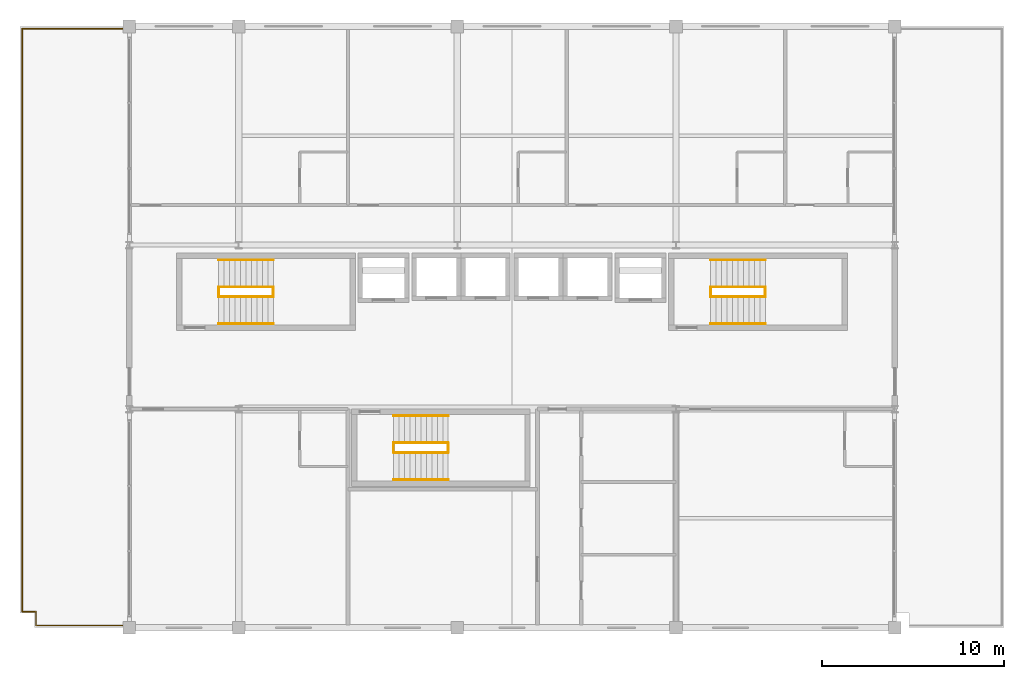
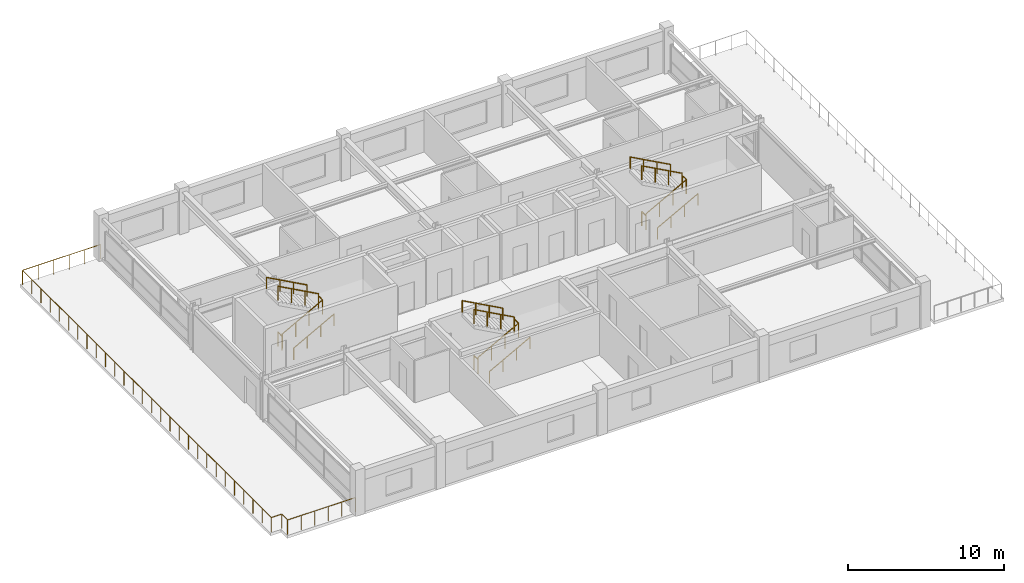
# One storey, part 23 of 24: 19 railings.
"""IFC4 building model written with IfcOpenShell, lengths in metres."""

from ifc_helpers import new_model, si_unit, direction, frame, origin, origin_2d, place, context, subcontext, project, spatial, circle, extrude, material, type_object, element, save


model = new_model("IFC4")

# Units and contexts
model_context = context("Model", 3, precision=1e-05, world=origin(), true_north=direction((0.0, 1.0)))
body_context = subcontext(model_context, "Body", "Model", "MODEL_VIEW")
ifc_project = project(units=[si_unit("LENGTHUNIT", "METRE"), si_unit("AREAUNIT", "SQUARE_METRE"), si_unit("VOLUMEUNIT", "CUBIC_METRE"), si_unit("PLANEANGLEUNIT", "RADIAN"), si_unit("MASSUNIT", "GRAM", prefix="KILO")], contexts=[model_context])

# Site, building, storey
site_placement = place(None, origin())
site = spatial("IfcSite", under=ifc_project, at=site_placement, CompositionType="ELEMENT")
building_placement = place(site_placement, origin())
building = spatial("IfcBuilding", under=site, at=building_placement, Name="Kaldorvane Square Convention Centre", CompositionType="ELEMENT")
storey_placement = place(building_placement, frame((0.0, 0.0, 60.0)))
storey = spatial("IfcBuildingStorey", under=building, at=storey_placement, Name="L14", CompositionType="ELEMENT", Elevation=60.0)

# Railings
ifc_material = material(Name="Architectural Painted Steel", Category="steel")
railing_type_1 = type_object("IfcRailingType", Name="RL-GUARD-1120", PredefinedType="BALUSTRADE", material=ifc_material)
for number, where, name in (
    (1, (40.899993896484375, 102.16999816894531, 0.0), "Tower Exit Stair T1 Floor Well Guard (L14)"),
    (2, (43.899993896484375, 102.16999816894531, 1.8000030517578125), "Tower Exit Stair T1 Half-Landing Guard (L14)"),
):
    element("IfcRailing", number, at=place(storey_placement, frame(where)), inside=storey, type_object=railing_type_1, Name=name, PredefinedType="BALUSTRADE", context=body_context, shape_type="SweptSolid", body=[
        extrude(circle(Radius=0.0240020751953125, at=origin_2d()), frame((0.0, 0.0, 1.0959930419921875), z_axis=(0.0, 1.0, 0.0), x_axis=(-1.0, 0.0, 0.0)), (0.0, 0.0, 1.0), 0.5200042724609375),
        extrude(circle(Radius=0.02099609375, at=origin_2d()), origin(), (0.0, 0.0, 1.0), 1.071990966796875),
        extrude(circle(Radius=0.02099609375, at=origin_2d()), frame((0.0, 0.5200042724609375, 0.0)), (0.0, 0.0, 1.0), 1.071990966796875),
    ])
railing_1_placement = place(storey_placement, frame((40.899993896484375, 102.16000366210938, 0.16363525390625)))
element("IfcRailing", 3, at=railing_1_placement, inside=storey, type_object=railing_type_1, Name="Tower Exit Stair T1 Flight 1 Guard (L14)", PredefinedType="BALUSTRADE", context=body_context, shape_type="SweptSolid", body=[
    extrude(circle(Radius=0.0240020751953125, at=origin_2d()), frame((0.0, 0.0, 1.0959930419921875), z_axis=(0.87789506098, 0.0, 0.478853069227), x_axis=(0.0, 1.0, 0.0)), (0.0, 0.0, 1.0), 3.417266845703125),
    extrude(circle(Radius=0.02099609375, at=origin_2d()), origin(), (0.0, 0.0, 1.0), 1.071990966796875),
    extrude(circle(Radius=0.02099609375, at=origin_2d()), frame((1.0, 0.0, 0.5454559326171875)), (0.0, 0.0, 1.0), 1.071990966796875),
    extrude(circle(Radius=0.02099609375, at=origin_2d()), frame((2.0, 0.0, 1.090911865234375)), (0.0, 0.0, 1.0), 1.071990966796875),
    extrude(circle(Radius=0.02099609375, at=origin_2d()), frame((3.0, 0.0, 1.6363677978515625)), (0.0, 0.0, 1.0), 1.071990966796875),
])
railing_2_placement = place(storey_placement, frame((43.899993896484375, 102.69999694824219, 1.9636383056640625)))
element("IfcRailing", 4, at=railing_2_placement, inside=storey, type_object=railing_type_1, Name="Tower Exit Stair T1 Flight 2 Guard (L14)", PredefinedType="BALUSTRADE", context=body_context, shape_type="SweptSolid", body=[
    extrude(circle(Radius=0.0240020751953125, at=origin_2d()), frame((0.0, 0.0, 1.0959930419921875), z_axis=(-0.87789506098, 0.0, 0.478853069227), x_axis=(0.0, -1.0, 0.0)), (0.0, 0.0, 1.0), 3.417266845703125),
    extrude(circle(Radius=0.02099609375, at=origin_2d()), origin(), (0.0, 0.0, 1.0), 1.071990966796875),
    extrude(circle(Radius=0.02099609375, at=origin_2d()), frame((-1.0, 0.0, 0.5454559326171875)), (0.0, 0.0, 1.0), 1.071990966796875),
    extrude(circle(Radius=0.02099609375, at=origin_2d()), frame((-2.0, 0.0, 1.090911865234375)), (0.0, 0.0, 1.0), 1.071990966796875),
    extrude(circle(Radius=0.02099609375, at=origin_2d()), frame((-3.0, 0.0, 1.6363677978515625)), (0.0, 0.0, 1.0), 1.071990966796875),
])
for number, where, name in (
    (5, (67.89999389648438, 102.16999816894531, 0.0), "Tower Exit Stair T2 Floor Well Guard (L14)"),
    (6, (70.89999389648438, 102.16999816894531, 1.8000030517578125), "Tower Exit Stair T2 Half-Landing Guard (L14)"),
):
    element("IfcRailing", number, at=place(storey_placement, frame(where)), inside=storey, type_object=railing_type_1, Name=name, PredefinedType="BALUSTRADE", context=body_context, shape_type="SweptSolid", body=[
        extrude(circle(Radius=0.0240020751953125, at=origin_2d()), frame((0.0, 0.0, 1.0959930419921875), z_axis=(0.0, 1.0, 0.0), x_axis=(-1.0, 0.0, 0.0)), (0.0, 0.0, 1.0), 0.5200042724609375),
        extrude(circle(Radius=0.02099609375, at=origin_2d()), origin(), (0.0, 0.0, 1.0), 1.071990966796875),
        extrude(circle(Radius=0.02099609375, at=origin_2d()), frame((0.0, 0.5200042724609375, 0.0)), (0.0, 0.0, 1.0), 1.071990966796875),
    ])
railing_3_placement = place(storey_placement, frame((67.89999389648438, 102.16000366210938, 0.16363525390625)))
element("IfcRailing", 7, at=railing_3_placement, inside=storey, type_object=railing_type_1, Name="Tower Exit Stair T2 Flight 1 Guard (L14)", PredefinedType="BALUSTRADE", context=body_context, shape_type="SweptSolid", body=[
    extrude(circle(Radius=0.0240020751953125, at=origin_2d()), frame((0.0, 0.0, 1.0959930419921875), z_axis=(0.87789506098, 0.0, 0.478853069227), x_axis=(0.0, 1.0, 0.0)), (0.0, 0.0, 1.0), 3.417266845703125),
    extrude(circle(Radius=0.02099609375, at=origin_2d()), origin(), (0.0, 0.0, 1.0), 1.071990966796875),
    extrude(circle(Radius=0.02099609375, at=origin_2d()), frame((1.0, 0.0, 0.5454559326171875)), (0.0, 0.0, 1.0), 1.071990966796875),
    extrude(circle(Radius=0.02099609375, at=origin_2d()), frame((2.0, 0.0, 1.090911865234375)), (0.0, 0.0, 1.0), 1.071990966796875),
    extrude(circle(Radius=0.02099609375, at=origin_2d()), frame((3.0, 0.0, 1.6363677978515625)), (0.0, 0.0, 1.0), 1.071990966796875),
])
railing_4_placement = place(storey_placement, frame((70.89999389648438, 102.69999694824219, 1.9636383056640625)))
element("IfcRailing", 8, at=railing_4_placement, inside=storey, type_object=railing_type_1, Name="Tower Exit Stair T2 Flight 2 Guard (L14)", PredefinedType="BALUSTRADE", context=body_context, shape_type="SweptSolid", body=[
    extrude(circle(Radius=0.0240020751953125, at=origin_2d()), frame((0.0, 0.0, 1.0959930419921875), z_axis=(-0.87789506098, 0.0, 0.478853069227), x_axis=(0.0, -1.0, 0.0)), (0.0, 0.0, 1.0), 3.417266845703125),
    extrude(circle(Radius=0.02099609375, at=origin_2d()), origin(), (0.0, 0.0, 1.0), 1.071990966796875),
    extrude(circle(Radius=0.02099609375, at=origin_2d()), frame((-1.0, 0.0, 0.5454559326171875)), (0.0, 0.0, 1.0), 1.071990966796875),
    extrude(circle(Radius=0.02099609375, at=origin_2d()), frame((-2.0, 0.0, 1.090911865234375)), (0.0, 0.0, 1.0), 1.071990966796875),
    extrude(circle(Radius=0.02099609375, at=origin_2d()), frame((-3.0, 0.0, 1.6363677978515625)), (0.0, 0.0, 1.0), 1.071990966796875),
])
for number, where, name in (
    (9, (50.5, 93.6199951171875, 0.0), "Tower Exit Stair T3 Floor Well Guard (L14)"),
    (10, (53.5, 93.6199951171875, 1.8000030517578125), "Tower Exit Stair T3 Half-Landing Guard (L14)"),
):
    element("IfcRailing", number, at=place(storey_placement, frame(where)), inside=storey, type_object=railing_type_1, Name=name, PredefinedType="BALUSTRADE", context=body_context, shape_type="SweptSolid", body=[
        extrude(circle(Radius=0.0240020751953125, at=origin_2d()), frame((0.0, 0.0, 1.0959930419921875), z_axis=(0.0, 1.0, 0.0), x_axis=(-1.0, 0.0, 0.0)), (0.0, 0.0, 1.0), 0.5200042724609375),
        extrude(circle(Radius=0.02099609375, at=origin_2d()), origin(), (0.0, 0.0, 1.0), 1.071990966796875),
        extrude(circle(Radius=0.02099609375, at=origin_2d()), frame((0.0, 0.5200042724609375, 0.0)), (0.0, 0.0, 1.0), 1.071990966796875),
    ])
railing_5_placement = place(storey_placement, frame((50.5, 93.61000061035156, 0.16363525390625)))
element("IfcRailing", 11, at=railing_5_placement, inside=storey, type_object=railing_type_1, Name="Tower Exit Stair T3 Flight 1 Guard (L14)", PredefinedType="BALUSTRADE", context=body_context, shape_type="SweptSolid", body=[
    extrude(circle(Radius=0.0240020751953125, at=origin_2d()), frame((0.0, 0.0, 1.0959930419921875), z_axis=(0.87789506098, 0.0, 0.478853069227), x_axis=(0.0, 1.0, 0.0)), (0.0, 0.0, 1.0), 3.417266845703125),
    extrude(circle(Radius=0.02099609375, at=origin_2d()), origin(), (0.0, 0.0, 1.0), 1.071990966796875),
    extrude(circle(Radius=0.02099609375, at=origin_2d()), frame((1.0, 0.0, 0.5454559326171875)), (0.0, 0.0, 1.0), 1.071990966796875),
    extrude(circle(Radius=0.02099609375, at=origin_2d()), frame((2.0, 0.0, 1.090911865234375)), (0.0, 0.0, 1.0), 1.071990966796875),
    extrude(circle(Radius=0.02099609375, at=origin_2d()), frame((3.0, 0.0, 1.6363677978515625)), (0.0, 0.0, 1.0), 1.071990966796875),
])
railing_6_placement = place(storey_placement, frame((53.5, 94.14999389648438, 1.9636383056640625)))
element("IfcRailing", 12, at=railing_6_placement, inside=storey, type_object=railing_type_1, Name="Tower Exit Stair T3 Flight 2 Guard (L14)", PredefinedType="BALUSTRADE", context=body_context, shape_type="SweptSolid", body=[
    extrude(circle(Radius=0.0240020751953125, at=origin_2d()), frame((0.0, 0.0, 1.0959930419921875), z_axis=(-0.87789506098, 0.0, 0.478853069227), x_axis=(0.0, -1.0, 0.0)), (0.0, 0.0, 1.0), 3.417266845703125),
    extrude(circle(Radius=0.02099609375, at=origin_2d()), origin(), (0.0, 0.0, 1.0), 1.071990966796875),
    extrude(circle(Radius=0.02099609375, at=origin_2d()), frame((-1.0, 0.0, 0.5454559326171875)), (0.0, 0.0, 1.0), 1.071990966796875),
    extrude(circle(Radius=0.02099609375, at=origin_2d()), frame((-2.0, 0.0, 1.090911865234375)), (0.0, 0.0, 1.0), 1.071990966796875),
    extrude(circle(Radius=0.02099609375, at=origin_2d()), frame((-3.0, 0.0, 1.6363677978515625)), (0.0, 0.0, 1.0), 1.071990966796875),
])
railing_type_2 = type_object("IfcRailingType", Name="RL-HAND-915", PredefinedType="HANDRAIL", material=ifc_material)
railing_7_placement = place(storey_placement, frame((40.899993896484375, 100.67999267578125, 0.16363525390625)))
element("IfcRailing", 13, at=railing_7_placement, inside=storey, type_object=railing_type_2, Name="Tower Exit Stair T1 Wall Handrail 1 (L14)", PredefinedType="HANDRAIL", context=body_context, shape_type="SweptSolid", body=[
    extrude(circle(Radius=0.0240020751953125, at=origin_2d()), frame((0.0, 0.0, 0.8909912109375), z_axis=(0.87789506098, 0.0, 0.478853069227), x_axis=(0.0, 1.0, 0.0)), (0.0, 0.0, 1.0), 3.417266845703125),
    extrude(circle(Radius=0.02099609375, at=origin_2d()), origin(), (0.0, 0.0, 1.0), 0.8669891357421875),
    extrude(circle(Radius=0.02099609375, at=origin_2d()), frame((1.0, 0.0, 0.5454559326171875)), (0.0, 0.0, 1.0), 0.8669891357421875),
    extrude(circle(Radius=0.02099609375, at=origin_2d()), frame((2.0, 0.0, 1.090911865234375)), (0.0, 0.0, 1.0), 0.8669891357421875),
    extrude(circle(Radius=0.02099609375, at=origin_2d()), frame((3.0, 0.0, 1.6363677978515625)), (0.0, 0.0, 1.0), 0.8669891357421875),
])
railing_8_placement = place(storey_placement, frame((43.899993896484375, 104.17999267578125, 1.9636383056640625)))
element("IfcRailing", 14, at=railing_8_placement, inside=storey, type_object=railing_type_2, Name="Tower Exit Stair T1 Wall Handrail 2 (L14)", PredefinedType="HANDRAIL", context=body_context, shape_type="SweptSolid", body=[
    extrude(circle(Radius=0.0240020751953125, at=origin_2d()), frame((0.0, 0.0, 0.8909912109375), z_axis=(-0.87789506098, 0.0, 0.478853069227), x_axis=(0.0, -1.0, 0.0)), (0.0, 0.0, 1.0), 3.417266845703125),
    extrude(circle(Radius=0.02099609375, at=origin_2d()), origin(), (0.0, 0.0, 1.0), 0.8669891357421875),
    extrude(circle(Radius=0.02099609375, at=origin_2d()), frame((-1.0, 0.0, 0.5454559326171875)), (0.0, 0.0, 1.0), 0.8669891357421875),
    extrude(circle(Radius=0.02099609375, at=origin_2d()), frame((-2.0, 0.0, 1.090911865234375)), (0.0, 0.0, 1.0), 0.8669891357421875),
    extrude(circle(Radius=0.02099609375, at=origin_2d()), frame((-3.0, 0.0, 1.6363677978515625)), (0.0, 0.0, 1.0), 0.8669891357421875),
])
railing_9_placement = place(storey_placement, frame((67.89999389648438, 100.67999267578125, 0.16363525390625)))
element("IfcRailing", 15, at=railing_9_placement, inside=storey, type_object=railing_type_2, Name="Tower Exit Stair T2 Wall Handrail 1 (L14)", PredefinedType="HANDRAIL", context=body_context, shape_type="SweptSolid", body=[
    extrude(circle(Radius=0.0240020751953125, at=origin_2d()), frame((0.0, 0.0, 0.8909912109375), z_axis=(0.87789506098, 0.0, 0.478853069227), x_axis=(0.0, 1.0, 0.0)), (0.0, 0.0, 1.0), 3.417266845703125),
    extrude(circle(Radius=0.02099609375, at=origin_2d()), origin(), (0.0, 0.0, 1.0), 0.8669891357421875),
    extrude(circle(Radius=0.02099609375, at=origin_2d()), frame((1.0, 0.0, 0.5454559326171875)), (0.0, 0.0, 1.0), 0.8669891357421875),
    extrude(circle(Radius=0.02099609375, at=origin_2d()), frame((2.0, 0.0, 1.090911865234375)), (0.0, 0.0, 1.0), 0.8669891357421875),
    extrude(circle(Radius=0.02099609375, at=origin_2d()), frame((3.0, 0.0, 1.6363677978515625)), (0.0, 0.0, 1.0), 0.8669891357421875),
])
railing_10_placement = place(storey_placement, frame((70.89999389648438, 104.17999267578125, 1.9636383056640625)))
element("IfcRailing", 16, at=railing_10_placement, inside=storey, type_object=railing_type_2, Name="Tower Exit Stair T2 Wall Handrail 2 (L14)", PredefinedType="HANDRAIL", context=body_context, shape_type="SweptSolid", body=[
    extrude(circle(Radius=0.0240020751953125, at=origin_2d()), frame((0.0, 0.0, 0.8909912109375), z_axis=(-0.87789506098, 0.0, 0.478853069227), x_axis=(0.0, -1.0, 0.0)), (0.0, 0.0, 1.0), 3.417266845703125),
    extrude(circle(Radius=0.02099609375, at=origin_2d()), origin(), (0.0, 0.0, 1.0), 0.8669891357421875),
    extrude(circle(Radius=0.02099609375, at=origin_2d()), frame((-1.0, 0.0, 0.5454559326171875)), (0.0, 0.0, 1.0), 0.8669891357421875),
    extrude(circle(Radius=0.02099609375, at=origin_2d()), frame((-2.0, 0.0, 1.090911865234375)), (0.0, 0.0, 1.0), 0.8669891357421875),
    extrude(circle(Radius=0.02099609375, at=origin_2d()), frame((-3.0, 0.0, 1.6363677978515625)), (0.0, 0.0, 1.0), 0.8669891357421875),
])
railing_11_placement = place(storey_placement, frame((50.5, 92.1300048828125, 0.16363525390625)))
element("IfcRailing", 17, at=railing_11_placement, inside=storey, type_object=railing_type_2, Name="Tower Exit Stair T3 Wall Handrail 1 (L14)", PredefinedType="HANDRAIL", context=body_context, shape_type="SweptSolid", body=[
    extrude(circle(Radius=0.0240020751953125, at=origin_2d()), frame((0.0, 0.0, 0.8909912109375), z_axis=(0.87789506098, 0.0, 0.478853069227), x_axis=(0.0, 1.0, 0.0)), (0.0, 0.0, 1.0), 3.417266845703125),
    extrude(circle(Radius=0.02099609375, at=origin_2d()), origin(), (0.0, 0.0, 1.0), 0.8669891357421875),
    extrude(circle(Radius=0.02099609375, at=origin_2d()), frame((1.0, 0.0, 0.5454559326171875)), (0.0, 0.0, 1.0), 0.8669891357421875),
    extrude(circle(Radius=0.02099609375, at=origin_2d()), frame((2.0, 0.0, 1.090911865234375)), (0.0, 0.0, 1.0), 0.8669891357421875),
    extrude(circle(Radius=0.02099609375, at=origin_2d()), frame((3.0, 0.0, 1.6363677978515625)), (0.0, 0.0, 1.0), 0.8669891357421875),
])
railing_12_placement = place(storey_placement, frame((53.5, 95.6300048828125, 1.9636383056640625)))
element("IfcRailing", 18, at=railing_12_placement, inside=storey, type_object=railing_type_2, Name="Tower Exit Stair T3 Wall Handrail 2 (L14)", PredefinedType="HANDRAIL", context=body_context, shape_type="SweptSolid", body=[
    extrude(circle(Radius=0.0240020751953125, at=origin_2d()), frame((0.0, 0.0, 0.8909912109375), z_axis=(-0.87789506098, 0.0, 0.478853069227), x_axis=(0.0, -1.0, 0.0)), (0.0, 0.0, 1.0), 3.417266845703125),
    extrude(circle(Radius=0.02099609375, at=origin_2d()), origin(), (0.0, 0.0, 1.0), 0.8669891357421875),
    extrude(circle(Radius=0.02099609375, at=origin_2d()), frame((-1.0, 0.0, 0.5454559326171875)), (0.0, 0.0, 1.0), 0.8669891357421875),
    extrude(circle(Radius=0.02099609375, at=origin_2d()), frame((-2.0, 0.0, 1.090911865234375)), (0.0, 0.0, 1.0), 0.8669891357421875),
    extrude(circle(Radius=0.02099609375, at=origin_2d()), frame((-3.0, 0.0, 1.6363677978515625)), (0.0, 0.0, 1.0), 0.8669891357421875),
])
railing_type_3 = type_object("IfcRailingType", Name="RL-TERR-1150", PredefinedType="BALUSTRADE", material=ifc_material)
railing_13_placement = place(storey_placement, frame((35.899993896484375, 116.8800048828125, 0.0)))
element("IfcRailing", 19, at=railing_13_placement, inside=storey, type_object=railing_type_3, Name="L14 West Presidential Terrace Guard", PredefinedType="BALUSTRADE", context=body_context, shape_type="SweptSolid", body=[
    extrude(circle(Radius=0.0240020751953125, at=origin_2d()), frame((0.0, 0.0, 1.1259918212890625), z_axis=(-1.0, 0.0, 0.0), x_axis=(0.0, -1.0, 0.0)), (0.0, 0.0, 1.0), 5.779998779296875),
    extrude(circle(Radius=0.0240020751953125, at=origin_2d()), frame((-5.779998779296875, 0.0, 1.1259918212890625), z_axis=(0.0, -1.0, 0.0), x_axis=(1.0, 0.0, 0.0)), (0.0, 0.0, 1.0), 32.0),
    extrude(circle(Radius=0.0240020751953125, at=origin_2d()), frame((-5.779998779296875, -32.0, 1.1259918212890625), z_axis=(1.0, 0.0, 0.0), x_axis=(0.0, 1.0, 0.0)), (0.0, 0.0, 1.0), 0.760009765625),
    extrude(circle(Radius=0.0240020751953125, at=origin_2d()), frame((-5.019989013671875, -32.0, 1.1259918212890625), z_axis=(0.0, -1.0, 0.0), x_axis=(1.0, 0.0, 0.0)), (0.0, 0.0, 1.0), 0.760009765625),
    extrude(circle(Radius=0.0240020751953125, at=origin_2d()), frame((-5.019989013671875, -32.760009765625, 1.1259918212890625), z_axis=(1.0, 0.0, 0.0), x_axis=(0.0, 1.0, 0.0)), (0.0, 0.0, 1.0), 5.019989013671875),
    extrude(circle(Radius=0.02099609375, at=origin_2d()), origin(), (0.0, 0.0, 1.0), 1.10198974609375),
    extrude(circle(Radius=0.02099609375, at=origin_2d()), frame((-1.156005859375, 0.0, 0.0)), (0.0, 0.0, 1.0), 1.10198974609375),
    extrude(circle(Radius=0.02099609375, at=origin_2d()), frame((-2.3119964599609375, 0.0, 0.0)), (0.0, 0.0, 1.0), 1.10198974609375),
    extrude(circle(Radius=0.02099609375, at=origin_2d()), frame((-3.4680023193359375, 0.0, 0.0)), (0.0, 0.0, 1.0), 1.10198974609375),
    extrude(circle(Radius=0.02099609375, at=origin_2d()), frame((-4.623992919921875, 0.0, 0.0)), (0.0, 0.0, 1.0), 1.10198974609375),
    extrude(circle(Radius=0.02099609375, at=origin_2d()), frame((-5.779998779296875, 0.0, 0.0)), (0.0, 0.0, 1.0), 1.10198974609375),
    extrude(circle(Radius=0.02099609375, at=origin_2d()), frame((-5.779998779296875, -1.1851806640625, 0.0)), (0.0, 0.0, 1.0), 1.10198974609375),
    extrude(circle(Radius=0.02099609375, at=origin_2d()), frame((-5.779998779296875, -2.3703765869140625, 0.0)), (0.0, 0.0, 1.0), 1.10198974609375),
    extrude(circle(Radius=0.02099609375, at=origin_2d()), frame((-5.779998779296875, -3.5555572509765625, 0.0)), (0.0, 0.0, 1.0), 1.10198974609375),
    extrude(circle(Radius=0.02099609375, at=origin_2d()), frame((-5.779998779296875, -4.7407379150390625, 0.0)), (0.0, 0.0, 1.0), 1.10198974609375),
    extrude(circle(Radius=0.02099609375, at=origin_2d()), frame((-5.779998779296875, -5.9259185791015625, 0.0)), (0.0, 0.0, 1.0), 1.10198974609375),
    extrude(circle(Radius=0.02099609375, at=origin_2d()), frame((-5.779998779296875, -7.111114501953125, 0.0)), (0.0, 0.0, 1.0), 1.10198974609375),
    extrude(circle(Radius=0.02099609375, at=origin_2d()), frame((-5.779998779296875, -8.296295166015625, 0.0)), (0.0, 0.0, 1.0), 1.10198974609375),
    extrude(circle(Radius=0.02099609375, at=origin_2d()), frame((-5.779998779296875, -9.481475830078125, 0.0)), (0.0, 0.0, 1.0), 1.10198974609375),
    extrude(circle(Radius=0.02099609375, at=origin_2d()), frame((-5.779998779296875, -10.666671752929688, 0.0)), (0.0, 0.0, 1.0), 1.10198974609375),
    extrude(circle(Radius=0.02099609375, at=origin_2d()), frame((-5.779998779296875, -11.851852416992188, 0.0)), (0.0, 0.0, 1.0), 1.10198974609375),
    extrude(circle(Radius=0.02099609375, at=origin_2d()), frame((-5.779998779296875, -13.037033081054688, 0.0)), (0.0, 0.0, 1.0), 1.10198974609375),
    extrude(circle(Radius=0.02099609375, at=origin_2d()), frame((-5.779998779296875, -14.22222900390625, 0.0)), (0.0, 0.0, 1.0), 1.10198974609375),
    extrude(circle(Radius=0.02099609375, at=origin_2d()), frame((-5.779998779296875, -15.40740966796875, 0.0)), (0.0, 0.0, 1.0), 1.10198974609375),
    extrude(circle(Radius=0.02099609375, at=origin_2d()), frame((-5.779998779296875, -16.59259033203125, 0.0)), (0.0, 0.0, 1.0), 1.10198974609375),
    extrude(circle(Radius=0.02099609375, at=origin_2d()), frame((-5.779998779296875, -17.77777099609375, 0.0)), (0.0, 0.0, 1.0), 1.10198974609375),
    extrude(circle(Radius=0.02099609375, at=origin_2d()), frame((-5.779998779296875, -18.962966918945312, 0.0)), (0.0, 0.0, 1.0), 1.10198974609375),
    extrude(circle(Radius=0.02099609375, at=origin_2d()), frame((-5.779998779296875, -20.148147583007812, 0.0)), (0.0, 0.0, 1.0), 1.10198974609375),
    extrude(circle(Radius=0.02099609375, at=origin_2d()), frame((-5.779998779296875, -21.333328247070312, 0.0)), (0.0, 0.0, 1.0), 1.10198974609375),
    extrude(circle(Radius=0.02099609375, at=origin_2d()), frame((-5.779998779296875, -22.518524169921875, 0.0)), (0.0, 0.0, 1.0), 1.10198974609375),
    extrude(circle(Radius=0.02099609375, at=origin_2d()), frame((-5.779998779296875, -23.703704833984375, 0.0)), (0.0, 0.0, 1.0), 1.10198974609375),
    extrude(circle(Radius=0.02099609375, at=origin_2d()), frame((-5.779998779296875, -24.888885498046875, 0.0)), (0.0, 0.0, 1.0), 1.10198974609375),
    extrude(circle(Radius=0.02099609375, at=origin_2d()), frame((-5.779998779296875, -26.074081420898438, 0.0)), (0.0, 0.0, 1.0), 1.10198974609375),
    extrude(circle(Radius=0.02099609375, at=origin_2d()), frame((-5.779998779296875, -27.259262084960938, 0.0)), (0.0, 0.0, 1.0), 1.10198974609375),
    extrude(circle(Radius=0.02099609375, at=origin_2d()), frame((-5.779998779296875, -28.444442749023438, 0.0)), (0.0, 0.0, 1.0), 1.10198974609375),
    extrude(circle(Radius=0.02099609375, at=origin_2d()), frame((-5.779998779296875, -29.629623413085938, 0.0)), (0.0, 0.0, 1.0), 1.10198974609375),
    extrude(circle(Radius=0.02099609375, at=origin_2d()), frame((-5.779998779296875, -30.8148193359375, 0.0)), (0.0, 0.0, 1.0), 1.10198974609375),
    extrude(circle(Radius=0.02099609375, at=origin_2d()), frame((-5.779998779296875, -32.0, 0.0)), (0.0, 0.0, 1.0), 1.10198974609375),
    extrude(circle(Radius=0.02099609375, at=origin_2d()), frame((-5.019989013671875, -32.0, 0.0)), (0.0, 0.0, 1.0), 1.10198974609375),
    extrude(circle(Radius=0.02099609375, at=origin_2d()), frame((-5.019989013671875, -32.760009765625, 0.0)), (0.0, 0.0, 1.0), 1.10198974609375),
    extrude(circle(Radius=0.02099609375, at=origin_2d()), frame((-4.0159912109375, -32.760009765625, 0.0)), (0.0, 0.0, 1.0), 1.10198974609375),
    extrude(circle(Radius=0.02099609375, at=origin_2d()), frame((-3.011993408203125, -32.760009765625, 0.0)), (0.0, 0.0, 1.0), 1.10198974609375),
    extrude(circle(Radius=0.02099609375, at=origin_2d()), frame((-2.00799560546875, -32.760009765625, 0.0)), (0.0, 0.0, 1.0), 1.10198974609375),
    extrude(circle(Radius=0.02099609375, at=origin_2d()), frame((-1.003997802734375, -32.760009765625, 0.0)), (0.0, 0.0, 1.0), 1.10198974609375),
    extrude(circle(Radius=0.02099609375, at=origin_2d()), frame((0.0, -32.760009765625, 0.0)), (0.0, 0.0, 1.0), 1.10198974609375),
])

save(model, "model.ifc")
